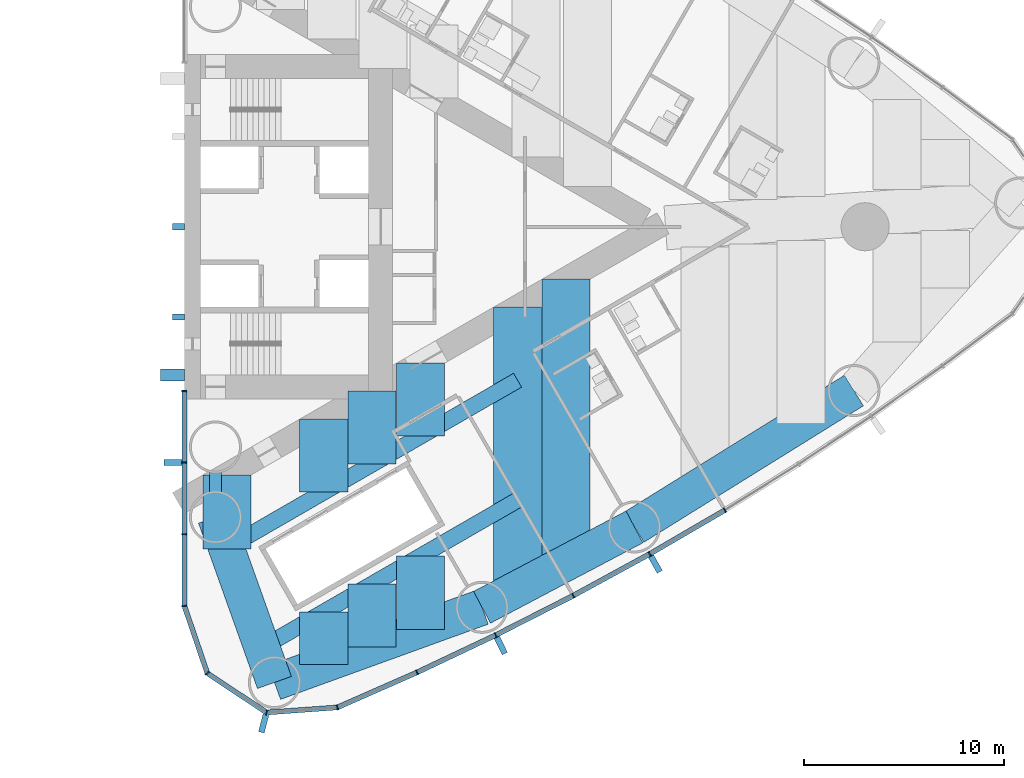
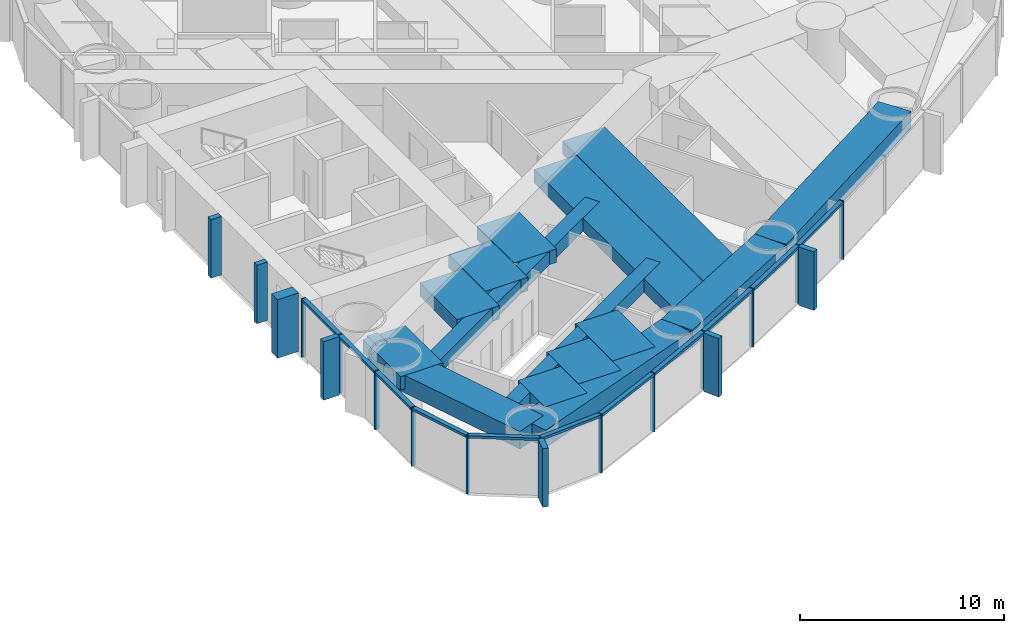
# One storey, part 6 of 19: 30 members, 16 beams, 1 element without a shape of its own.
"""IFC4 building model written with IfcOpenShell, lengths in metres."""

from ifc_helpers import new_model, si_unit, direction, frame, origin, origin_2d, place, context, subcontext, project, spatial, rectangle, hollow_rectangle, extrude, material, material_profile, profile_set, type_object, element, aggregate, save


model = new_model("IFC4")

# Units and contexts
model_context = context("Model", 3, precision=1e-05, world=origin(), true_north=direction((0.0, 1.0)))
body_context = subcontext(model_context, "Body", "Model", "MODEL_VIEW")
ifc_project = project(units=[si_unit("LENGTHUNIT", "METRE"), si_unit("AREAUNIT", "SQUARE_METRE"), si_unit("VOLUMEUNIT", "CUBIC_METRE"), si_unit("PLANEANGLEUNIT", "RADIAN"), si_unit("MASSUNIT", "GRAM", prefix="KILO")], contexts=[model_context])

# Site, building, storey
site_placement = place(None, origin())
site = spatial("IfcSite", under=ifc_project, at=site_placement, CompositionType="ELEMENT")
building_placement = place(site_placement, origin())
building = spatial("IfcBuilding", under=site, at=building_placement, Name="Lancet Gate Hotel", CompositionType="ELEMENT")
storey_placement = place(building_placement, frame((0.0, 0.0, 122.10009765625)))
storey = spatial("IfcBuildingStorey", under=building, at=storey_placement, Name="L32", CompositionType="ELEMENT", Elevation=122.10009765625)

# Curtain wall, members
ifc_material_1 = material(Name="Aluminium curtain wall", Category="aluminium")
curtain_wall_type = type_object("IfcCurtainWallType", Name="Tower unitised curtain wall", PredefinedType="USERDEFINED", material=ifc_material_1)
curtain_wall_placement = place(storey_placement, origin())
curtain_wall = element("IfcCurtainWall", 1, at=curtain_wall_placement, inside=storey, type_object=curtain_wall_type, Name="T2 L32 curtain wall 1", ObjectType="UNITISED CURTAIN WALL", PredefinedType="USERDEFINED")
ifc_material_2 = material(Name="Aluminium mullion", Category="aluminium")
ifc_material_profile_1 = material_profile(ifc_material_2, rectangle(XDim=0.06494140625, YDim=0.25, at=origin_2d()), Name="MULLION 65x250")
ifc_profile_set_1 = profile_set([ifc_material_profile_1], Name="Aluminium mullion")
member_type_1 = type_object("IfcMemberType", Name="Aluminium mullion 65x250", PredefinedType="MULLION", material=ifc_profile_set_1)
member_1_placement = place(storey_placement, frame((27.5, -8.199951171875, 0.0), z_axis=(0.0, 0.0, 1.0), x_axis=(0.0, -1.0, 0.0)))
member_1 = element("IfcMember", 2, at=member_1_placement, type_object=member_type_1, Name="T2 L32 curtain wall 1 mullion 1", PredefinedType="MULLION", context=body_context, shape_type="SweptSolid", body=[
    extrude(rectangle(XDim=0.06494140625, YDim=0.25, at=origin_2d()), origin(), (0.0, 0.0, 1.0), 3.5),
])
member_2_placement = place(storey_placement, frame((27.5, -11.781005859375, 0.0), z_axis=(0.0, 0.0, 1.0), x_axis=(0.0, -1.0, 0.0)))
member_2 = element("IfcMember", 3, at=member_2_placement, type_object=member_type_1, Name="T2 L32 curtain wall 1 mullion 2", PredefinedType="MULLION", context=body_context, shape_type="SweptSolid", body=[
    extrude(rectangle(XDim=0.06494140625, YDim=0.25, at=origin_2d()), origin(), (0.0, 0.0, 1.0), 3.5),
])
member_3_placement = place(storey_placement, frame((27.5, -15.362060546875, 0.0), z_axis=(0.0, 0.0, 1.0), x_axis=(0.0, -1.0, 0.0)))
member_3 = element("IfcMember", 4, at=member_3_placement, type_object=member_type_1, Name="T2 L32 curtain wall 1 mullion 3", PredefinedType="MULLION", context=body_context, shape_type="SweptSolid", body=[
    extrude(rectangle(XDim=0.06494140625, YDim=0.25, at=origin_2d()), origin(), (0.0, 0.0, 1.0), 3.5),
])
member_4_placement = place(storey_placement, frame((27.5, -18.94287109375, 0.0), z_axis=(0.0, 0.0, 1.0), x_axis=(0.162738742557, -0.986669195663, 0.0)))
member_4 = element("IfcMember", 5, at=member_4_placement, type_object=member_type_1, Name="T2 L32 curtain wall 1 mullion 4", PredefinedType="MULLION", context=body_context, shape_type="SweptSolid", body=[
    extrude(rectangle(XDim=0.06494140625, YDim=0.25, at=origin_2d()), origin(), (0.0, 0.0, 1.0), 3.5),
])
member_5_placement = place(storey_placement, frame((28.64453125, -22.301513671875, 0.0), z_axis=(0.0, 0.0, 1.0), x_axis=(0.610663954798, -0.79188984986, 0.0)))
member_5 = element("IfcMember", 6, at=member_5_placement, type_object=member_type_1, Name="T2 L32 curtain wall 1 mullion 5", PredefinedType="MULLION", context=body_context, shape_type="SweptSolid", body=[
    extrude(rectangle(XDim=0.06494140625, YDim=0.25, at=origin_2d()), origin(), (0.0, 0.0, 1.0), 3.5),
])
member_6_placement = place(storey_placement, frame((31.60205078125, -24.26220703125, 0.0), z_axis=(0.0, 0.0, 1.0), x_axis=(0.967157174963, -0.254179068604, 0.0)))
member_6 = element("IfcMember", 7, at=member_6_placement, type_object=member_type_1, Name="T2 L32 curtain wall 1 mullion 6", PredefinedType="MULLION", context=body_context, shape_type="SweptSolid", body=[
    extrude(rectangle(XDim=0.06494140625, YDim=0.25, at=origin_2d()), origin(), (0.0, 0.0, 1.0), 3.5),
])
member_7_placement = place(storey_placement, frame((35.141357421875, -24.009033203125, 0.0), z_axis=(0.0, 0.0, 1.0), x_axis=(0.966317378791, 0.257353304711, 0.0)))
member_7 = element("IfcMember", 8, at=member_7_placement, type_object=member_type_1, Name="T2 L32 curtain wall 1 mullion 7", PredefinedType="MULLION", context=body_context, shape_type="SweptSolid", body=[
    extrude(rectangle(XDim=0.06494140625, YDim=0.25, at=origin_2d()), origin(), (0.0, 0.0, 1.0), 3.5),
])
member_8_placement = place(storey_placement, frame((39.12109375, -22.259765625, 0.0), z_axis=(0.0, 0.0, 1.0), x_axis=(0.909672766767, 0.415325724465, 0.0)))
member_8 = element("IfcMember", 9, at=member_8_placement, type_object=member_type_1, Name="T2 L32 curtain wall 1 mullion 8", PredefinedType="MULLION", context=body_context, shape_type="SweptSolid", body=[
    extrude(rectangle(XDim=0.06494140625, YDim=0.25, at=origin_2d()), origin(), (0.0, 0.0, 1.0), 3.5),
])
member_9_placement = place(storey_placement, frame((43.0498046875, -20.398193359375, 0.0), z_axis=(0.0, 0.0, 1.0), x_axis=(0.897511886496, 0.440990264743, 0.0)))
member_9 = element("IfcMember", 10, at=member_9_placement, type_object=member_type_1, Name="T2 L32 curtain wall 1 mullion 9", PredefinedType="MULLION", context=body_context, shape_type="SweptSolid", body=[
    extrude(rectangle(XDim=0.06494140625, YDim=0.25, at=origin_2d()), origin(), (0.0, 0.0, 1.0), 3.5),
])
member_10_placement = place(storey_placement, frame((46.923828125, -18.426025390625, 0.0), z_axis=(0.0, 0.0, 1.0), x_axis=(0.884627112962, 0.466299121822, 0.0)))
member_10 = element("IfcMember", 11, at=member_10_placement, type_object=member_type_1, Name="T2 L32 curtain wall 1 mullion 10", PredefinedType="MULLION", context=body_context, shape_type="SweptSolid", body=[
    extrude(rectangle(XDim=0.06494140625, YDim=0.25, at=origin_2d()), origin(), (0.0, 0.0, 1.0), 3.5),
])
member_11_placement = place(storey_placement, frame((50.740478515625, -16.344482421875, 0.0), z_axis=(0.0, 0.0, 1.0), x_axis=(0.871028838445, 0.491231882716, 0.0)))
member_11 = element("IfcMember", 12, at=member_11_placement, type_object=member_type_1, Name="T2 L32 curtain wall 1 mullion 11", PredefinedType="MULLION", context=body_context, shape_type="SweptSolid", body=[
    extrude(rectangle(XDim=0.06494140625, YDim=0.25, at=origin_2d()), origin(), (0.0, 0.0, 1.0), 3.5),
])
member_12_placement = place(storey_placement, frame((54.496337890625, -14.1552734375, 0.0), z_axis=(0.0, 0.0, 1.0), x_axis=(0.856728030701, 0.515768437781, 0.0)))
member_12 = element("IfcMember", 13, at=member_12_placement, type_object=member_type_1, Name="T2 L32 curtain wall 1 mullion 12", PredefinedType="MULLION", context=body_context, shape_type="SweptSolid", body=[
    extrude(rectangle(XDim=0.06494140625, YDim=0.25, at=origin_2d()), origin(), (0.0, 0.0, 1.0), 3.5),
])
ifc_material_3 = material(Name="Aluminium transom", Category="aluminium")
ifc_material_profile_2 = material_profile(ifc_material_3, rectangle(XDim=0.25, YDim=0.14990234375, at=origin_2d()), Name="TRANSOM 250x150")
ifc_profile_set_2 = profile_set([ifc_material_profile_2], Name="Aluminium transom")
member_type_2 = type_object("IfcMemberType", Name="Aluminium transom 250x150", PredefinedType="USERDEFINED", material=ifc_profile_set_2)
member_13_placement = place(storey_placement, frame((27.5, -8.232421875, 3.4248046875), z_axis=(0.0, -1.0, 0.0), x_axis=(1.0, 0.0, 0.0)))
member_13 = element("IfcMember", 14, at=member_13_placement, type_object=member_type_2, Name="T2 L32 curtain wall 1 transom 1", ObjectType="TRANSOM", PredefinedType="USERDEFINED", context=body_context, shape_type="SweptSolid", body=[
    extrude(rectangle(XDim=0.25, YDim=0.14990234375, at=origin_2d()), origin(), (0.0, 0.0, 1.0), 3.51611328125),
])
member_14_placement = place(storey_placement, frame((27.5, -11.8134765625, 3.4248046875), z_axis=(0.0, -1.0, 0.0), x_axis=(1.0, 0.0, 0.0)))
member_14 = element("IfcMember", 15, at=member_14_placement, type_object=member_type_2, Name="T2 L32 curtain wall 1 transom 2", ObjectType="TRANSOM", PredefinedType="USERDEFINED", context=body_context, shape_type="SweptSolid", body=[
    extrude(rectangle(XDim=0.25, YDim=0.14990234375, at=origin_2d()), origin(), (0.0, 0.0, 1.0), 3.515869140625),
])
member_15_placement = place(storey_placement, frame((27.5, -15.39453125, 3.4248046875), z_axis=(0.0, -1.0, 0.0), x_axis=(1.0, 0.0, 0.0)))
member_15 = element("IfcMember", 16, at=member_15_placement, type_object=member_type_2, Name="T2 L32 curtain wall 1 transom 3", ObjectType="TRANSOM", PredefinedType="USERDEFINED", context=body_context, shape_type="SweptSolid", body=[
    extrude(rectangle(XDim=0.25, YDim=0.14990234375, at=origin_2d()), origin(), (0.0, 0.0, 1.0), 3.515869140625),
])
member_16_placement = place(storey_placement, frame((27.510498046875, -18.9736328125, 3.4248046875), z_axis=(0.322549769135, -0.946552505903, 0.0), x_axis=(0.946552505903, 0.322549769135, 0.0)))
member_16 = element("IfcMember", 17, at=member_16_placement, type_object=member_type_2, Name="T2 L32 curtain wall 1 transom 4", ObjectType="TRANSOM", PredefinedType="USERDEFINED", context=body_context, shape_type="SweptSolid", body=[
    extrude(rectangle(XDim=0.25, YDim=0.14990234375, at=origin_2d()), origin(), (0.0, 0.0, 1.0), 3.4833984375),
])
member_17_placement = place(storey_placement, frame((28.671630859375, -22.319580078125, 3.4248046875), z_axis=(0.833470854141, -0.552563421968, 0.0), x_axis=(0.552563421968, 0.833470854141, 0.0)))
member_17 = element("IfcMember", 18, at=member_17_placement, type_object=member_type_2, Name="T2 L32 curtain wall 1 transom 5", ObjectType="TRANSOM", PredefinedType="USERDEFINED", context=body_context, shape_type="SweptSolid", body=[
    extrude(rectangle(XDim=0.25, YDim=0.14990234375, at=origin_2d()), origin(), (0.0, 0.0, 1.0), 3.4833984375),
])
member_18_placement = place(storey_placement, frame((31.634521484375, -24.260009765625, 3.4248046875), z_axis=(0.997446232115, 0.071421383636, 0.0), x_axis=(-0.071421383636, 0.997446232115, 0.0)))
member_18 = element("IfcMember", 19, at=member_18_placement, type_object=member_type_2, Name="T2 L32 curtain wall 1 transom 6", ObjectType="TRANSOM", PredefinedType="USERDEFINED", context=body_context, shape_type="SweptSolid", body=[
    extrude(rectangle(XDim=0.25, YDim=0.14990234375, at=origin_2d()), origin(), (0.0, 0.0, 1.0), 3.483154296875),
])
member_19_placement = place(storey_placement, frame((35.171142578125, -23.995849609375, 3.4248046875), z_axis=(0.915484772266, 0.402352621155, 0.0), x_axis=(-0.402352621155, 0.915484772266, 0.0)))
member_19 = element("IfcMember", 20, at=member_19_placement, type_object=member_type_2, Name="T2 L32 curtain wall 1 transom 7", ObjectType="TRANSOM", PredefinedType="USERDEFINED", context=body_context, shape_type="SweptSolid", body=[
    extrude(rectangle(XDim=0.25, YDim=0.14990234375, at=origin_2d()), origin(), (0.0, 0.0, 1.0), 4.281982421875),
])
member_20_placement = place(storey_placement, frame((39.150634765625, -22.245849609375, 3.4248046875), z_axis=(0.903679787814, 0.428208875546, 0.0), x_axis=(-0.428208875546, 0.903679787814, 0.0)))
member_20 = element("IfcMember", 21, at=member_20_placement, type_object=member_type_2, Name="T2 L32 curtain wall 1 transom 8", ObjectType="TRANSOM", PredefinedType="USERDEFINED", context=body_context, shape_type="SweptSolid", body=[
    extrude(rectangle(XDim=0.25, YDim=0.14990234375, at=origin_2d()), origin(), (0.0, 0.0, 1.0), 4.282470703125),
])
member_21_placement = place(storey_placement, frame((43.07861328125, -20.383544921875, 3.4248046875), z_axis=(0.891165630033, 0.453678101574, 0.0), x_axis=(-0.453678101574, 0.891165630033, 0.0)))
member_21 = element("IfcMember", 22, at=member_21_placement, type_object=member_type_2, Name="T2 L32 curtain wall 1 transom 9", ObjectType="TRANSOM", PredefinedType="USERDEFINED", context=body_context, shape_type="SweptSolid", body=[
    extrude(rectangle(XDim=0.25, YDim=0.14990234375, at=origin_2d()), origin(), (0.0, 0.0, 1.0), 4.282470703125),
])
member_22_placement = place(storey_placement, frame((46.952392578125, -18.410400390625, 3.4248046875), z_axis=(0.877906466435, 0.478832158685, 0.0), x_axis=(-0.478832158685, 0.877906466435, 0.0)))
member_22 = element("IfcMember", 23, at=member_22_placement, type_object=member_type_2, Name="T2 L32 curtain wall 1 transom 10", ObjectType="TRANSOM", PredefinedType="USERDEFINED", context=body_context, shape_type="SweptSolid", body=[
    extrude(rectangle(XDim=0.25, YDim=0.14990234375, at=origin_2d()), origin(), (0.0, 0.0, 1.0), 4.282470703125),
])
member_23_placement = place(storey_placement, frame((50.7685546875, -16.327880859375, 3.4248046875), z_axis=(0.863973212152, 0.503537772847, 0.0), x_axis=(-0.503537772847, 0.863973212152, 0.0)))
member_23 = element("IfcMember", 24, at=member_23_placement, type_object=member_type_2, Name="T2 L32 curtain wall 1 transom 11", ObjectType="TRANSOM", PredefinedType="USERDEFINED", context=body_context, shape_type="SweptSolid", body=[
    extrude(rectangle(XDim=0.25, YDim=0.14990234375, at=origin_2d()), origin(), (0.0, 0.0, 1.0), 4.2822265625),
])

# Beams
ifc_material_4 = material(Name="Concrete C50/60", Category="concrete")
ifc_material_profile_3 = material_profile(ifc_material_4, rectangle(XDim=1.800048828125, YDim=1.050048828125, at=origin_2d()), Name="RC 1800x1050")
ifc_profile_set_3 = profile_set([ifc_material_profile_3], Name="Concrete C50/60")
beam_type_1 = type_object("IfcBeamType", Name="Edge beam RC 1800x1050", PredefinedType="SPANDREL", material=ifc_profile_set_3)
beam_1_placement = place(storey_placement, frame((31.99609375, -22.76318359375, 2.724853515625), z_axis=(0.940225039526, 0.340553777029, 0.0), x_axis=(-0.340553777029, 0.940225039526, 0.0)))
element("IfcBeam", 25, at=beam_1_placement, inside=storey, type_object=beam_type_1, Name="T2 edge beam EB1 L32", PredefinedType="SPANDREL", context=body_context, shape_type="SweptSolid", body=[
    extrude(rectangle(XDim=1.800048828125, YDim=1.050048828125, at=origin_2d()), origin(), (0.0, 0.0, 1.0), 11.029296875),
])
beam_2_placement = place(storey_placement, frame((42.3662109375, -19.007080078125, 2.724853515625), z_axis=(0.884632510133, 0.466288882578, 0.0), x_axis=(-0.466288882578, 0.884632510133, 0.0)))
element("IfcBeam", 26, at=beam_2_placement, inside=storey, type_object=beam_type_1, Name="T2 edge beam EB1 L32", PredefinedType="SPANDREL", context=body_context, shape_type="SweptSolid", body=[
    extrude(rectangle(XDim=1.800048828125, YDim=1.050048828125, at=origin_2d()), origin(), (0.0, 0.0, 1.0), 8.605712890625),
])
beam_3_placement = place(storey_placement, frame((49.97900390625, -14.994384765625, 2.724853515625), z_axis=(0.849312372751, 0.527890607505, 0.0), x_axis=(-0.527890607505, 0.849312372751, 0.0)))
element("IfcBeam", 27, at=beam_3_placement, inside=storey, type_object=beam_type_1, Name="T2 edge beam EB1 L32", PredefinedType="SPANDREL", context=body_context, shape_type="SweptSolid", body=[
    extrude(rectangle(XDim=1.800048828125, YDim=1.050048828125, at=origin_2d()), origin(), (0.0, 0.0, 1.0), 12.906494140625),
])
beam_4_placement = place(storey_placement, frame((31.99609375, -22.76318359375, 2.724853515625), z_axis=(-0.335821559388, 0.941925623523, 0.0), x_axis=(-0.941925623523, -0.335821559388, 0.0)))
element("IfcBeam", 28, at=beam_4_placement, inside=storey, type_object=beam_type_1, Name="T2 edge beam EB1 L32", PredefinedType="SPANDREL", context=body_context, shape_type="SweptSolid", body=[
    extrude(rectangle(XDim=1.800048828125, YDim=1.050048828125, at=origin_2d()), origin(), (0.0, 0.0, 1.0), 8.772705078125),
])

# Member
ifc_material_5 = material(Name="Concrete C60/75", Category="concrete")
ifc_material_profile_4 = material_profile(ifc_material_5, rectangle(XDim=0.60009765625, YDim=1.199951171875, at=origin_2d()), Name="FIN 600x1200")
ifc_profile_set_4 = profile_set([ifc_material_profile_4], Name="Concrete C60/75")
member_type_3 = type_object("IfcMemberType", Name="Exposed concrete buttress pilaster 600x1200", PredefinedType="USERDEFINED", material=ifc_profile_set_4)
member_24_placement = place(storey_placement, frame((26.909912109375, -7.39990234375, 0.0), z_axis=(0.0, 0.0, 1.0), x_axis=(0.0, 1.0, 0.0)))
element("IfcMember", 29, at=member_24_placement, inside=storey, type_object=member_type_3, Name="T2 buttress pilaster S L32", ObjectType="FIN", PredefinedType="USERDEFINED", context=body_context, shape_type="SweptSolid", body=[
    extrude(rectangle(XDim=0.60009765625, YDim=1.199951171875, at=origin_2d()), origin(), (0.0, 0.0, 1.0), 3.5),
])

ifc_material_6 = material(Name="Precast concrete C50/60", Category="concrete")
ifc_material_profile_5 = material_profile(ifc_material_6, rectangle(XDim=0.300048828125, YDim=0.89990234375, at=origin_2d()), Name="FIN 300x900")
ifc_profile_set_5 = profile_set([ifc_material_profile_5], Name="Precast concrete C50/60")
member_type_4 = type_object("IfcMemberType", Name="Exposed concrete fin 300x900", PredefinedType="USERDEFINED", material=ifc_profile_set_5)
member_25_placement = place(storey_placement, frame((26.925048828125, -11.781005859375, 0.0), z_axis=(0.0, 0.0, 1.0), x_axis=(0.0, -1.0, 0.0)))
member_25 = element("IfcMember", 30, at=member_25_placement, type_object=member_type_4, Name="T2 L32 curtain wall 1 fin 2", ObjectType="FIN", PredefinedType="USERDEFINED", context=body_context, shape_type="SweptSolid", body=[
    extrude(rectangle(XDim=0.300048828125, YDim=0.89990234375, at=origin_2d()), origin(), (0.0, 0.0, 1.0), 3.5),
])

member_26_placement = place(storey_placement, frame((31.455810546875, -24.818359375, 0.0), z_axis=(0.0, 0.0, 1.0), x_axis=(0.967157174963, -0.254179068604, 0.0)))
member_26 = element("IfcMember", 31, at=member_26_placement, type_object=member_type_4, Name="T2 L32 curtain wall 1 fin 6", ObjectType="FIN", PredefinedType="USERDEFINED", context=body_context, shape_type="SweptSolid", body=[
    extrude(rectangle(XDim=0.300048828125, YDim=0.89990234375, at=origin_2d()), origin(), (0.0, 0.0, 1.0), 3.5),
])

member_27_placement = place(storey_placement, frame((43.30322265625, -20.914306640625, 0.0), z_axis=(0.0, 0.0, 1.0), x_axis=(0.897511886496, 0.440990264743, 0.0)))
member_27 = element("IfcMember", 32, at=member_27_placement, type_object=member_type_4, Name="T2 L32 curtain wall 1 fin 9", ObjectType="FIN", PredefinedType="USERDEFINED", context=body_context, shape_type="SweptSolid", body=[
    extrude(rectangle(XDim=0.300048828125, YDim=0.89990234375, at=origin_2d()), origin(), (0.0, 0.0, 1.0), 3.5),
])

member_28_placement = place(storey_placement, frame((51.02294921875, -16.84521484375, 0.0), z_axis=(0.0, 0.0, 1.0), x_axis=(0.871028838445, 0.491231882716, 0.0)))
member_28 = element("IfcMember", 33, at=member_28_placement, type_object=member_type_4, Name="T2 L32 curtain wall 1 fin 11", ObjectType="FIN", PredefinedType="USERDEFINED", context=body_context, shape_type="SweptSolid", body=[
    extrude(rectangle(XDim=0.300048828125, YDim=0.89990234375, at=origin_2d()), origin(), (0.0, 0.0, 1.0), 3.5),
])

aggregate(curtain_wall, [member_1, member_2, member_25, member_3, member_4, member_5, member_6, member_26, member_7, member_8, member_9, member_27, member_10, member_11, member_28, member_12, member_13, member_14, member_15, member_16, member_17, member_18, member_19, member_20, member_21, member_22, member_23])

# Members
ifc_material_7 = material(Name="Concrete C60/75", Category="concrete")
ifc_material_profile_6 = material_profile(ifc_material_7, rectangle(XDim=0.300048828125, YDim=0.60009765625, at=origin_2d()), Name="FIN 300x600")
ifc_profile_set_6 = profile_set([ifc_material_profile_6], Name="Concrete C60/75")
member_type_5 = type_object("IfcMemberType", Name="Exposed concrete rib 300x600", PredefinedType="USERDEFINED", material=ifc_profile_set_6)
for number, where, z_axis, x_axis, name in (
    (34, (27.2099609375, -4.5, 0.0), (0.0, 0.0, 1.0), (0.0, 1.0, 0.0), "T2 core rib 1 L32"),
    (35, (27.2099609375, 0.0, 0.0), (0.0, 0.0, 1.0), (0.0, 1.0, 0.0), "T2 core rib 2 L32"),
):
    element("IfcMember", number, at=place(storey_placement, frame(where, z_axis=z_axis, x_axis=x_axis)), inside=storey, type_object=member_type_5, Name=name, ObjectType="FIN", PredefinedType="USERDEFINED", context=body_context, shape_type="SweptSolid", body=[
        extrude(rectangle(XDim=0.300048828125, YDim=0.60009765625, at=origin_2d()), origin(), (0.0, 0.0, 1.0), 3.5),
    ])

# Beams
ifc_material_8 = material(Name="Concrete C50/60", Category="concrete")
ifc_material_profile_7 = material_profile(ifc_material_8, rectangle(XDim=2.39990234375, YDim=0.800048828125, at=origin_2d()), Name="RC 2400x800")
ifc_profile_set_7 = profile_set([ifc_material_profile_7], Name="Concrete C50/60")
beam_type_2 = type_object("IfcBeamType", Name="Floor beam RC 2400x800", PredefinedType="BEAM", material=ifc_profile_set_7)
beam_5_placement = place(storey_placement, frame((29.6201171875, -16.099365234375, 2.849853515625), z_axis=(0.0, 1.0, 0.0), x_axis=(-1.0, 0.0, 0.0)))
element("IfcBeam", 36, at=beam_5_placement, inside=storey, type_object=beam_type_2, Name="T2 floor beam F01S L32", PredefinedType="BEAM", context=body_context, shape_type="SweptSolid", body=[
    extrude(rectangle(XDim=2.39990234375, YDim=0.800048828125, at=origin_2d()), origin(), (0.0, 0.0, 1.0), 3.69677734375),
])
beam_6_placement = place(storey_placement, frame((44.1416015625, -18.0712890625, 2.849853515625), z_axis=(0.0, 1.0, 0.0), x_axis=(-1.0, 0.0, 0.0)))
element("IfcBeam", 37, at=beam_6_placement, inside=storey, type_object=beam_type_2, Name="T2 floor beam F09S L32", PredefinedType="BEAM", context=body_context, shape_type="SweptSolid", body=[
    extrude(rectangle(XDim=2.39990234375, YDim=0.800048828125, at=origin_2d()), origin(), (0.0, 0.0, 1.0), 14.052490234375),
])
beam_7_placement = place(storey_placement, frame((46.561767578125, -16.795654296875, 2.849853515625), z_axis=(0.0, 1.0, 0.0), x_axis=(-1.0, 0.0, 0.0)))
element("IfcBeam", 38, at=beam_7_placement, inside=storey, type_object=beam_type_2, Name="T2 floor beam F11S L32", PredefinedType="BEAM", context=body_context, shape_type="SweptSolid", body=[
    extrude(rectangle(XDim=2.39990234375, YDim=0.800048828125, at=origin_2d()), origin(), (0.0, 0.0, 1.0), 14.17431640625),
])
beam_8_placement = place(storey_placement, frame((34.460693359375, -21.87060546875, 2.849853515625), z_axis=(0.0, 1.0, 0.0), x_axis=(-1.0, 0.0, 0.0)))
element("IfcBeam", 39, at=beam_8_placement, inside=storey, type_object=beam_type_2, Name="T2 floor beam F03SA L32", PredefinedType="BEAM", context=body_context, shape_type="SweptSolid", body=[
    extrude(rectangle(XDim=2.39990234375, YDim=0.800048828125, at=origin_2d()), origin(), (0.0, 0.0, 1.0), 2.62939453125),
])
beam_9_placement = place(storey_placement, frame((34.460693359375, -13.253662109375, 2.849853515625), z_axis=(0.0, 1.0, 0.0), x_axis=(-1.0, 0.0, 0.0)))
element("IfcBeam", 40, at=beam_9_placement, inside=storey, type_object=beam_type_2, Name="T2 floor beam F03SB L32", PredefinedType="BEAM", context=body_context, shape_type="SweptSolid", body=[
    extrude(rectangle(XDim=2.39990234375, YDim=0.800048828125, at=origin_2d()), origin(), (0.0, 0.0, 1.0), 3.645751953125),
])
beam_10_placement = place(storey_placement, frame((36.880859375, -20.993896484375, 2.849853515625), z_axis=(0.0, 1.0, 0.0), x_axis=(-1.0, 0.0, 0.0)))
element("IfcBeam", 41, at=beam_10_placement, inside=storey, type_object=beam_type_2, Name="T2 floor beam F05SA L32", PredefinedType="BEAM", context=body_context, shape_type="SweptSolid", body=[
    extrude(rectangle(XDim=2.39990234375, YDim=0.800048828125, at=origin_2d()), origin(), (0.0, 0.0, 1.0), 3.150146484375),
])
beam_11_placement = place(storey_placement, frame((36.880859375, -11.8564453125, 2.849853515625), z_axis=(0.0, 1.0, 0.0), x_axis=(-1.0, 0.0, 0.0)))
element("IfcBeam", 42, at=beam_11_placement, inside=storey, type_object=beam_type_2, Name="T2 floor beam F05SB L32", PredefinedType="BEAM", context=body_context, shape_type="SweptSolid", body=[
    extrude(rectangle(XDim=2.39990234375, YDim=0.800048828125, at=origin_2d()), origin(), (0.0, 0.0, 1.0), 3.645751953125),
])
beam_12_placement = place(storey_placement, frame((39.301025390625, -20.1171875, 2.849853515625), z_axis=(0.0, 1.0, 0.0), x_axis=(-1.0, 0.0, 0.0)))
element("IfcBeam", 43, at=beam_12_placement, inside=storey, type_object=beam_type_2, Name="T2 floor beam F07SA L32", PredefinedType="BEAM", context=body_context, shape_type="SweptSolid", body=[
    extrude(rectangle(XDim=2.39990234375, YDim=0.800048828125, at=origin_2d()), origin(), (0.0, 0.0, 1.0), 3.670654296875),
])
beam_13_placement = place(storey_placement, frame((39.301025390625, -10.458984375, 2.849853515625), z_axis=(0.0, 1.0, 0.0), x_axis=(-1.0, 0.0, 0.0)))
element("IfcBeam", 44, at=beam_13_placement, inside=storey, type_object=beam_type_2, Name="T2 floor beam F07SB L32", PredefinedType="BEAM", context=body_context, shape_type="SweptSolid", body=[
    extrude(rectangle(XDim=2.39990234375, YDim=0.800048828125, at=origin_2d()), origin(), (0.0, 0.0, 1.0), 3.6455078125),
])
ifc_material_9 = material(Name="Steel S460QL", Category="steel")
ifc_material_profile_8 = material_profile(ifc_material_9, hollow_rectangle(XDim=0.60009765625, YDim=1.5, WallThickness=0.050048828125, at=origin_2d()), Name="BOX 1500x600x50")
ifc_profile_set_8 = profile_set([ifc_material_profile_8], Name="Steel S460QL")
beam_type_3 = type_object("IfcBeamType", Name="Inner-face link beam BOX 1500x600x50", PredefinedType="BEAM", material=ifc_profile_set_8)
beam_14_placement = place(storey_placement, frame((29.050048828125, -13.25, 2.5), z_axis=(0.0, 1.0, 0.0), x_axis=(-1.0, 0.0, 0.0)))
element("IfcBeam", 45, at=beam_14_placement, inside=storey, type_object=beam_type_3, Name="T2 inner-face link beam LK1 L32", PredefinedType="BEAM", context=body_context, shape_type="SweptSolid", body=[
    extrude(hollow_rectangle(XDim=0.60009765625, YDim=1.5, WallThickness=0.050048828125, at=origin_2d()), origin(), (0.0, 0.0, 1.0), 1.0),
])
ifc_material_10 = material(Name="Steel S460QL", Category="steel")
ifc_material_profile_9 = material_profile(ifc_material_10, hollow_rectangle(XDim=0.800048828125, YDim=0.800048828125, WallThickness=0.080078125, at=origin_2d()), Name="BOX 800x800x80")
ifc_profile_set_9 = profile_set([ifc_material_profile_9], Name="Steel S460QL")
beam_type_4 = type_object("IfcBeamType", Name="Trimmer beam BOX 800x800x80", PredefinedType="BEAM", material=ifc_profile_set_9)
beam_15_placement = place(storey_placement, frame((29.6201171875, -16.048095703125, 2.849853515625), z_axis=(0.866036714307, 0.499980409089, 0.0), x_axis=(-0.499980409089, 0.866036714307, 0.0)))
element("IfcBeam", 46, at=beam_15_placement, inside=storey, type_object=beam_type_4, Name="T2 trimmer beam TR01S L32", PredefinedType="BEAM", context=body_context, shape_type="SweptSolid", body=[
    extrude(hollow_rectangle(XDim=0.800048828125, YDim=0.800048828125, WallThickness=0.080078125, at=origin_2d()), origin(), (0.0, 0.0, 1.0), 16.767822265625),
])
beam_16_placement = place(storey_placement, frame((31.375244140625, -21.0224609375, 2.849853515625), z_axis=(0.86603417384, 0.49998480951, 0.0), x_axis=(-0.49998480951, 0.86603417384, 0.0)))
element("IfcBeam", 47, at=beam_16_placement, inside=storey, type_object=beam_type_4, Name="T2 trimmer beam TR02S L32", PredefinedType="BEAM", context=body_context, shape_type="SweptSolid", body=[
    extrude(hollow_rectangle(XDim=0.800048828125, YDim=0.800048828125, WallThickness=0.080078125, at=origin_2d()), origin(), (0.0, 0.0, 1.0), 14.7412109375),
])

save(model, "model.ifc")
